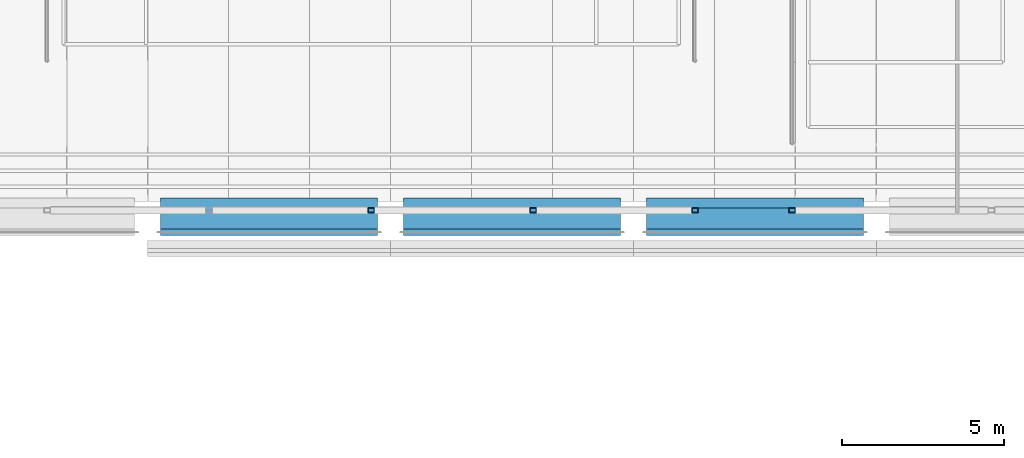
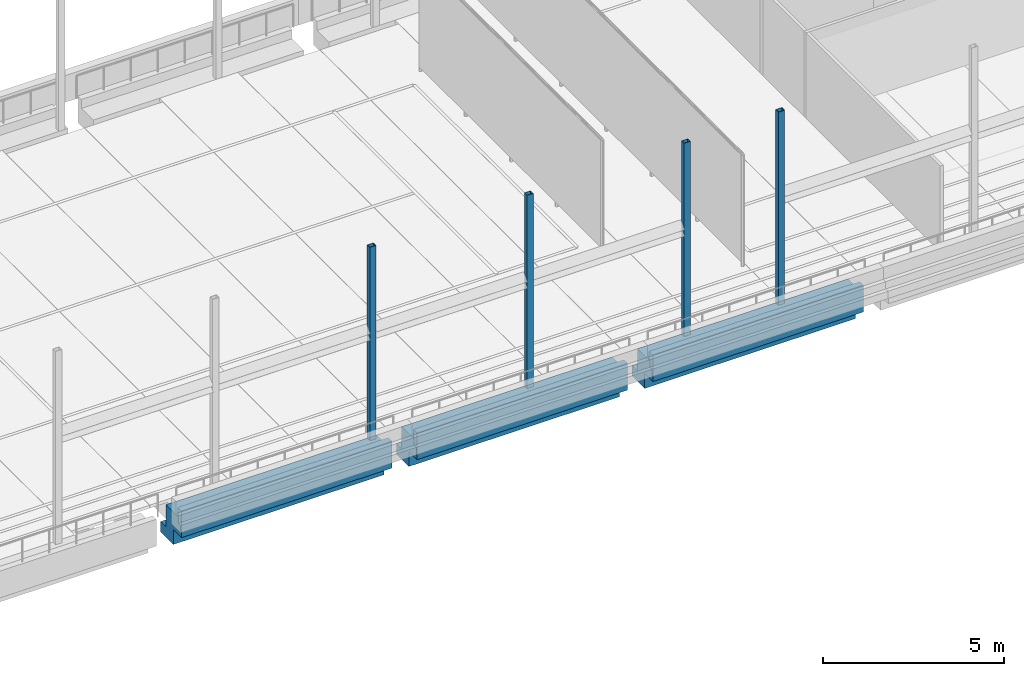
# One storey, part 14 of 62: 4 members, 3 beams.
"""IFC4 building model written with IfcOpenShell, lengths in metres."""

from ifc_helpers import new_model, si_unit, direction, frame, origin, origin_2d, place, context, subcontext, project, spatial, polyline, hollow_rectangle, outline, extrude, material, material_profile, profile_set, type_object, element, save


model = new_model("IFC4")

# Units and contexts
model_context = context("Model", 3, precision=1e-05, world=origin(), true_north=direction((0.0, 1.0)))
body_context = subcontext(model_context, "Body", "Model", "MODEL_VIEW")
ifc_project = project(units=[si_unit("LENGTHUNIT", "METRE"), si_unit("AREAUNIT", "SQUARE_METRE"), si_unit("VOLUMEUNIT", "CUBIC_METRE"), si_unit("PLANEANGLEUNIT", "RADIAN"), si_unit("MASSUNIT", "GRAM", prefix="KILO")], contexts=[model_context])

# Site, building, storey
site_placement = place(None, origin())
site = spatial("IfcSite", under=ifc_project, at=site_placement, CompositionType="ELEMENT")
building_placement = place(site_placement, origin())
building = spatial("IfcBuilding", under=site, at=building_placement, Name="Cour d'Honneur Mobility Palace", CompositionType="ELEMENT")
storey_placement = place(building_placement, frame((0.0, 0.0, 19.300048828125)))
storey = spatial("IfcBuildingStorey", under=building, at=storey_placement, Name="L05", CompositionType="ELEMENT", Elevation=19.300048828125)

# Beams
ifc_material_1 = material(Name="Concrete C45", Category="concrete")
ifc_material_profile_1 = material_profile(ifc_material_1, outline(polyline([(0.5, -1.10009765625), (0.5, -0.75), (0.199951171875, -0.75), (0.199951171875, 0.0), (-0.199951171875, 0.0), (-0.449951171875, 0.0), (-0.449951171875, 0.300048828125), (-0.64990234375, 0.300048828125), (-0.64990234375, -0.60009765625), (-0.199951171875, -0.60009765625), (-0.199951171875, -1.10009765625), (0.5, -1.10009765625)])), Name="Ledger Beam 400x1100 ledge left 350 facade right")
ifc_profile_set_1 = profile_set([ifc_material_profile_1], Name="Concrete C45")
beam_type = type_object("IfcBeamType", Name="Ledger Beam 400x1100 ledge left 350 facade right", PredefinedType="BEAM", material=ifc_profile_set_1)
for number, where, z_axis, x_axis, name in (
    (1, (100.300048828125, 45.0, 0.0), (1.0, 0.0, 0.0), (0.0, 1.0, 0.0), "Precast beam B2 13-14 L05"),
    (2, (107.800048828125, 45.0, 0.0), (1.0, 0.0, 0.0), (0.0, 1.0, 0.0), "Precast beam B2 14-15 L05"),
    (3, (115.300048828125, 45.0, 0.0), (1.0, 0.0, 0.0), (0.0, 1.0, 0.0), "Precast beam B2 15-16 L05"),
):
    element("IfcBeam", number, at=place(storey_placement, frame(where, z_axis=z_axis, x_axis=x_axis)), inside=storey, type_object=beam_type, Name=name, PredefinedType="BEAM", context=body_context, shape_type="SweptSolid", body=[
        extrude(outline(polyline([(0.5, -1.10009765625), (0.5, -0.75), (0.199951171875, -0.75), (0.199951171875, 0.0), (-0.199951171875, 0.0), (-0.449951171875, 0.0), (-0.449951171875, 0.300048828125), (-0.64990234375, 0.300048828125), (-0.64990234375, -0.60009765625), (-0.199951171875, -0.60009765625), (-0.199951171875, -1.10009765625), (0.5, -1.10009765625)])), origin(), (0.0, 0.0, 1.0), 6.699951171875),
    ])

# Members
ifc_material_2 = material(Name="Steel S355", Category="steel")
ifc_material_profile_2 = material_profile(ifc_material_2, hollow_rectangle(XDim=0.14990234375, YDim=0.199951171875, WallThickness=0.008056640625, at=origin_2d()), Name="RHS 200x150x8")
ifc_profile_set_2 = profile_set([ifc_material_profile_2], Name="Steel S355")
member_type = type_object("IfcMemberType", Name="Pergola post RHS 200x150x8", PredefinedType="POST", material=ifc_profile_set_2)
for number, where, z_axis, x_axis, name in (
    (4, (119.800048828125, 45.125, 0.0), (0.0, 0.0, 1.0), (0.0, 1.0, 0.0), "Pergola post FE-S1"),
    (5, (106.800048828125, 45.125, 0.0), (0.0, 0.0, 1.0), (0.0, 1.0, 0.0), "Pergola post PE-S3"),
    (6, (111.800048828125, 45.125, 0.0), (0.0, 0.0, 1.0), (0.0, 1.0, 0.0), "Pergola post PE-S4"),
    (7, (116.800048828125, 45.125, 0.0), (0.0, 0.0, 1.0), (0.0, 1.0, 0.0), "Pergola post PE-S5"),
):
    element("IfcMember", number, at=place(storey_placement, frame(where, z_axis=z_axis, x_axis=x_axis)), inside=storey, type_object=member_type, Name=name, PredefinedType="POST", context=body_context, shape_type="SweptSolid", body=[
        extrude(hollow_rectangle(XDim=0.14990234375, YDim=0.199951171875, WallThickness=0.008056640625, at=origin_2d()), origin(), (0.0, 0.0, 1.0), 6.5),
    ])

save(model, "model.ifc")
